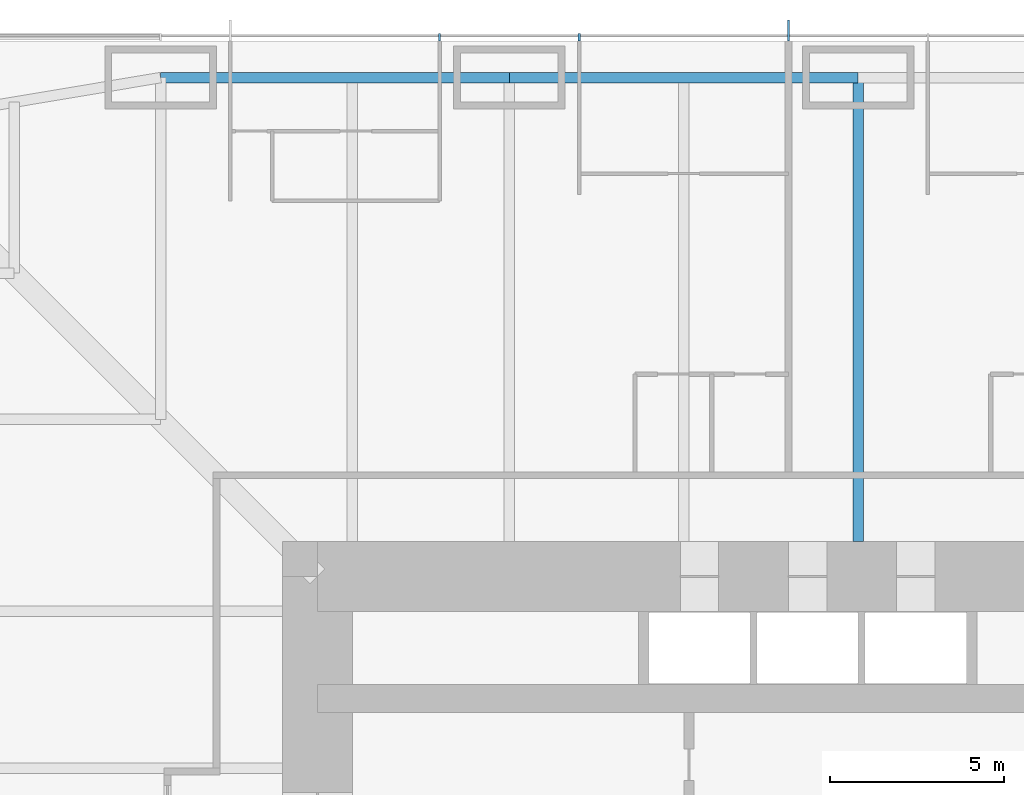
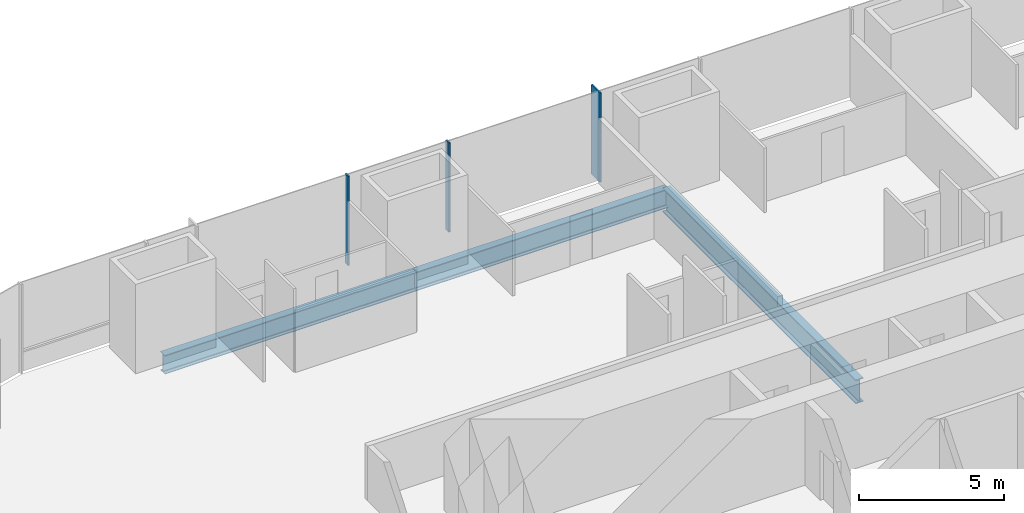
# One storey, part 7 of 17: 3 beams, 3 members, 1 element without a shape of its own.
"""IFC4 building model written with IfcOpenShell, lengths in metres."""

from ifc_helpers import new_model, si_unit, direction, frame, origin, origin_2d, place, context, subcontext, project, spatial, rectangle, i_section, extrude, material, material_profile, profile_set, type_object, element, aggregate, save


model = new_model("IFC4")

# Units and contexts
model_context = context("Model", 3, precision=1e-05, world=origin(), true_north=direction((0.0, 1.0)))
body_context = subcontext(model_context, "Body", "Model", "MODEL_VIEW")
ifc_project = project(units=[si_unit("LENGTHUNIT", "METRE"), si_unit("AREAUNIT", "SQUARE_METRE"), si_unit("VOLUMEUNIT", "CUBIC_METRE"), si_unit("PLANEANGLEUNIT", "RADIAN"), si_unit("MASSUNIT", "GRAM", prefix="KILO")], contexts=[model_context])

# Site, building, storey
site_placement = place(None, origin())
site = spatial("IfcSite", under=ifc_project, at=site_placement, CompositionType="ELEMENT")
building_placement = place(site_placement, origin())
building = spatial("IfcBuilding", under=site, at=building_placement, Name="Khuree Lantern Residences", CompositionType="ELEMENT")
storey_placement = place(building_placement, frame((0.0, 0.0, 88.5)))
storey = spatial("IfcBuildingStorey", under=building, at=storey_placement, Name="L22", CompositionType="ELEMENT", Elevation=88.5)

# Beams
ifc_material_1 = material(Name="Steel S355", Category="steel")
ifc_material_profile_1 = material_profile(ifc_material_1, i_section(OverallWidth=0.300048828125, OverallDepth=0.7900390625, WebThickness=0.014892578125, FlangeThickness=0.028076171875, FilletRadius=0.030029296875, at=origin_2d()), Name="HE 800 A")
ifc_profile_set_1 = profile_set([ifc_material_profile_1], Name="Steel S355")
beam_type_1 = type_object("IfcBeamType", Name="E-15 SPANDREL BEAM HE 800 A", PredefinedType="SPANDREL", material=ifc_profile_set_1)
for number, where, z_axis, x_axis, name in (
    (1, (-20.0, 29.800048828125, -0.64501953125), (1.0, 0.0, 0.0), (0.0, 1.0, 0.0), "Spandrel beam N1"),
    (2, (-10.0, 29.800048828125, -0.64501953125), (1.0, 0.0, 0.0), (0.0, 1.0, 0.0), "Spandrel beam N2"),
):
    element("IfcBeam", number, at=place(storey_placement, frame(where, z_axis=z_axis, x_axis=x_axis)), inside=storey, type_object=beam_type_1, Name=name, PredefinedType="SPANDREL", context=body_context, shape_type="SweptSolid", body=[
        extrude(i_section(OverallWidth=0.300048828125, OverallDepth=0.7900390625, WebThickness=0.014892578125, FlangeThickness=0.028076171875, FilletRadius=0.030029296875, at=origin_2d()), origin(), (0.0, 0.0, 1.0), 10.0),
    ])

# Curtain wall, member
ifc_material_2 = material(Name="Bronze anodised aluminium", Category="aluminium")
curtain_wall_type = type_object("IfcCurtainWallType", Name="CW-T1 TOWER FACE CURTAIN WALL", PredefinedType="USERDEFINED", material=ifc_material_2)
curtain_wall_placement = place(storey_placement, origin())
curtain_wall = element("IfcCurtainWall", 3, at=curtain_wall_placement, inside=storey, type_object=curtain_wall_type, Name="L22 NORTH FACE CURTAIN WALL", ObjectType="Stick-built curtain wall", PredefinedType="USERDEFINED")
ifc_material_profile_2 = material_profile(ifc_material_2, rectangle(XDim=0.06494140625, YDim=0.60009765625, at=origin_2d()), Name="F1 65X600")
ifc_profile_set_2 = profile_set([ifc_material_profile_2], Name="Bronze anodised aluminium")
member_type_1 = type_object("IfcMemberType", Name="F1 BRONZE FIN MULLION TOWER 65X600", PredefinedType="MULLION", material=ifc_profile_set_2)
member_1_placement = place(storey_placement, frame((-2.0, 31.14990234375, 0.0), z_axis=(0.0, 0.0, 1.0), x_axis=(-1.0, 0.0, 0.0)))
member_1 = element("IfcMember", 4, at=member_1_placement, type_object=member_type_1, Name="L22 NORTH FACE FIN MULLION 24", PredefinedType="MULLION", context=body_context, shape_type="SweptSolid", body=[
    extrude(rectangle(XDim=0.06494140625, YDim=0.60009765625, at=origin_2d()), origin(), (0.0, 0.0, 1.0), 3.75),
])

# Beam
ifc_material_profile_3 = material_profile(ifc_material_1, i_section(OverallWidth=0.302001953125, OverallDepth=1.008056640625, WebThickness=0.02099609375, FlangeThickness=0.0400390625, FilletRadius=0.030029296875, at=origin_2d()), Name="HE 1000 M")
ifc_profile_set_3 = profile_set([ifc_material_profile_3], Name="Steel S355")
beam_type_2 = type_object("IfcBeamType", Name="G-15 GIRDER HE 1000 M", PredefinedType="BEAM", material=ifc_profile_set_3)
beam_placement = place(storey_placement, frame((0.0, 29.800048828125, -0.75390625), z_axis=(0.0, -1.0, 0.0), x_axis=(1.0, 0.0, 0.0)))
element("IfcBeam", 5, at=beam_placement, inside=storey, type_object=beam_type_2, Name="Girder N3", PredefinedType="BEAM", context=body_context, shape_type="SweptSolid", body=[
    extrude(i_section(OverallWidth=0.302001953125, OverallDepth=1.008056640625, WebThickness=0.02099609375, FlangeThickness=0.0400390625, FilletRadius=0.030029296875, at=origin_2d()), origin(), (0.0, 0.0, 1.0), 13.300048828125),
])

# Member
ifc_material_profile_4 = material_profile(ifc_material_2, rectangle(XDim=0.06494140625, YDim=0.219970703125, at=origin_2d()), Name="M1 65X220")
ifc_profile_set_4 = profile_set([ifc_material_profile_4], Name="Bronze anodised aluminium")
member_type_2 = type_object("IfcMemberType", Name="M1 BRONZE MULLION TOWER 65X220", PredefinedType="MULLION", material=ifc_profile_set_4)
member_2_placement = place(storey_placement, frame((-8.0, 30.9599609375, 0.0), z_axis=(0.0, 0.0, 1.0), x_axis=(-1.0, 0.0, 0.0)))
member_2 = element("IfcMember", 6, at=member_2_placement, type_object=member_type_2, Name="L22 NORTH FACE MULLION 25", PredefinedType="MULLION", context=body_context, shape_type="SweptSolid", body=[
    extrude(rectangle(XDim=0.06494140625, YDim=0.219970703125, at=origin_2d()), origin(), (0.0, 0.0, 1.0), 3.75),
])

member_3_placement = place(storey_placement, frame((-12.0, 30.9599609375, 0.0), z_axis=(0.0, 0.0, 1.0), x_axis=(-1.0, 0.0, 0.0)))
member_3 = element("IfcMember", 7, at=member_3_placement, type_object=member_type_2, Name="L22 NORTH FACE MULLION 26", PredefinedType="MULLION", context=body_context, shape_type="SweptSolid", body=[
    extrude(rectangle(XDim=0.06494140625, YDim=0.219970703125, at=origin_2d()), origin(), (0.0, 0.0, 1.0), 3.75),
])

aggregate(curtain_wall, [member_1, member_2, member_3])

save(model, "model.ifc")
